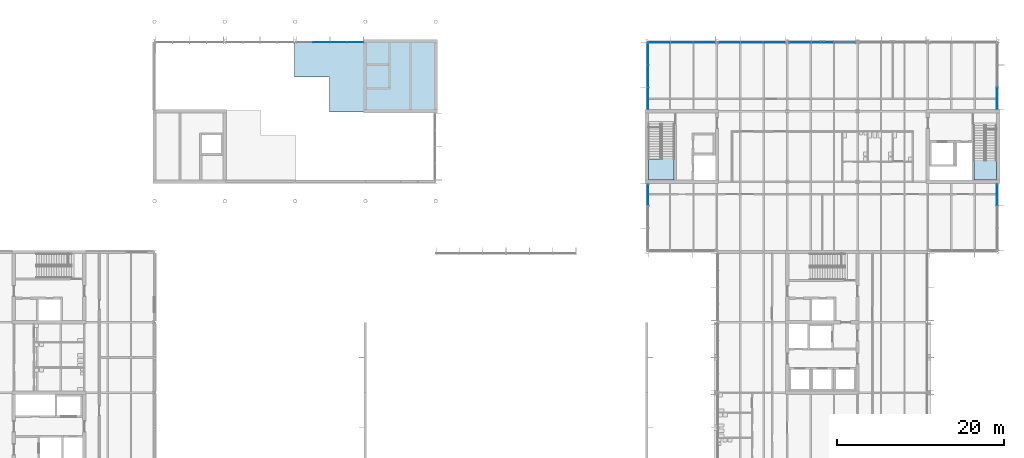
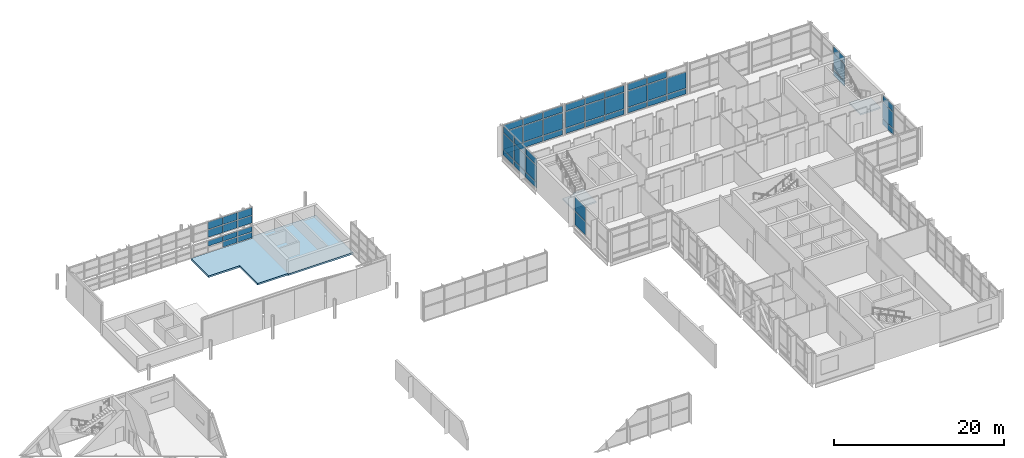
# One storey, part 36 of 72: 54 plates, 3 slabs, 11 elements without a shape of their own.
"""IFC4 building model written with IfcOpenShell, lengths in metres."""

from ifc_helpers import new_model, si_unit, direction, frame, origin, origin_2d, place, context, subcontext, project, spatial, polyline, rectangle, outline, extrude, material, layer, layer_set, type_object, element, aggregate, save


model = new_model("IFC4")

# Units and contexts
model_context = context("Model", 3, precision=1e-05, world=origin(), true_north=direction((0.0, 1.0)))
body_context = subcontext(model_context, "Body", "Model", "MODEL_VIEW")
ifc_project = project(units=[si_unit("LENGTHUNIT", "METRE"), si_unit("AREAUNIT", "SQUARE_METRE"), si_unit("VOLUMEUNIT", "CUBIC_METRE"), si_unit("PLANEANGLEUNIT", "RADIAN"), si_unit("MASSUNIT", "GRAM", prefix="KILO")], contexts=[model_context])

# Site, building, storey
site_placement = place(None, origin())
site = spatial("IfcSite", under=ifc_project, at=site_placement, CompositionType="ELEMENT")
building_placement = place(site_placement, origin())
building = spatial("IfcBuilding", under=site, at=building_placement, Name="Hlaing Beacon Police Headquarters", CompositionType="ELEMENT")
storey_placement = place(building_placement, frame((0.0, 0.0, 14.39990234375)))
storey = spatial("IfcBuildingStorey", under=building, at=storey_placement, Name="L03", CompositionType="ELEMENT", Elevation=14.39990234375)

# Curtain wall, plates
ifc_material_1 = material(Name="Aluminium frame with solar control glazing", Category="aluminium")
curtain_wall_type_1 = type_object("IfcCurtainWallType", Name="Unitised curtain wall 8.07 x 1.80 (300 frame)", PredefinedType="NOTDEFINED", material=ifc_material_1)
curtain_wall_1_placement = place(storey_placement, origin())
curtain_wall_1 = element("IfcCurtainWall", 1, at=curtain_wall_1_placement, inside=storey, type_object=curtain_wall_type_1, Name="ENV-CW-L03-N005", PredefinedType="NOTDEFINED")
ifc_material_2 = material(Name="Solar control glazing", Category="glass")
ifc_layer_1 = layer(ifc_material_2, 0.02392578125)
ifc_layer_set_1 = layer_set([ifc_layer_1], Name="Solar control glazing")
plate_type_1 = type_object("IfcPlateType", Name="Clear glazing panel 24", PredefinedType="CURTAIN_PANEL", material=ifc_layer_set_1)
plate_1_placement = place(storey_placement, frame((57.575927734375, 92.25, 0.10009765625), z_axis=(0.0, 0.0, 1.0), x_axis=(-1.0, 0.0, 0.0)))
plate_1 = element("IfcPlate", 2, at=plate_1_placement, type_object=plate_type_1, Name="CW-L03-N005 panel 1.1", PredefinedType="CURTAIN_PANEL", context=body_context, shape_type="SweptSolid", body=[
    extrude(rectangle(XDim=1.927978515625, YDim=0.02392578125, at=origin_2d()), origin(), (0.0, 0.0, 1.0), 0.75),
])
plate_2_placement = place(storey_placement, frame((57.575927734375, 92.25, 0.9501953125), z_axis=(0.0, 0.0, 1.0), x_axis=(-1.0, 0.0, 0.0)))
plate_2 = element("IfcPlate", 3, at=plate_2_placement, type_object=plate_type_1, Name="CW-L03-N005 panel 1.2", PredefinedType="CURTAIN_PANEL", context=body_context, shape_type="SweptSolid", body=[
    extrude(rectangle(XDim=1.927978515625, YDim=0.02392578125, at=origin_2d()), origin(), (0.0, 0.0, 1.0), 0.75),
])
plate_3_placement = place(storey_placement, frame((55.572998046875, 92.25, 0.10009765625), z_axis=(0.0, 0.0, 1.0), x_axis=(-1.0, 0.0, 0.0)))
plate_3 = element("IfcPlate", 4, at=plate_3_placement, type_object=plate_type_1, Name="CW-L03-N005 panel 2.1", PredefinedType="CURTAIN_PANEL", context=body_context, shape_type="SweptSolid", body=[
    extrude(rectangle(XDim=1.9580078125, YDim=0.02392578125, at=origin_2d()), origin(), (0.0, 0.0, 1.0), 0.75),
])
plate_4_placement = place(storey_placement, frame((55.572998046875, 92.25, 0.9501953125), z_axis=(0.0, 0.0, 1.0), x_axis=(-1.0, 0.0, 0.0)))
plate_4 = element("IfcPlate", 5, at=plate_4_placement, type_object=plate_type_1, Name="CW-L03-N005 panel 2.2", PredefinedType="CURTAIN_PANEL", context=body_context, shape_type="SweptSolid", body=[
    extrude(rectangle(XDim=1.9580078125, YDim=0.02392578125, at=origin_2d()), origin(), (0.0, 0.0, 1.0), 0.75),
])
plate_5_placement = place(storey_placement, frame((53.55517578125, 92.25, 0.9501953125), z_axis=(0.0, 0.0, 1.0), x_axis=(-1.0, 0.0, 0.0)))
plate_5 = element("IfcPlate", 6, at=plate_5_placement, type_object=plate_type_1, Name="CW-L03-N005 panel 3.2", PredefinedType="CURTAIN_PANEL", context=body_context, shape_type="SweptSolid", body=[
    extrude(rectangle(XDim=1.9580078125, YDim=0.02392578125, at=origin_2d()), origin(), (0.0, 0.0, 1.0), 0.75),
])
aggregate(curtain_wall_1, [plate_1, plate_2, plate_3, plate_4, plate_5])

ifc_material_3 = material(Name="Aluminium frame with solar control glazing", Category="aluminium")
curtain_wall_type_2 = type_object("IfcCurtainWallType", Name="Unitised curtain wall 8.07 x 2.40 (300 frame)", PredefinedType="NOTDEFINED", material=ifc_material_3)
curtain_wall_2_placement = place(storey_placement, origin())
curtain_wall_2 = element("IfcCurtainWall", 7, at=curtain_wall_2_placement, inside=storey, type_object=curtain_wall_type_2, Name="ENV-CW-L03-N006", PredefinedType="NOTDEFINED")
ifc_material_4 = material(Name="Solar control glazing", Category="glass")
ifc_layer_2 = layer(ifc_material_4, 0.031982421875)
ifc_layer_set_2 = layer_set([ifc_layer_2], Name="Solar control glazing")
plate_type_2 = type_object("IfcPlateType", Name="Clear glazing panel 32", PredefinedType="CURTAIN_PANEL", material=ifc_layer_set_2)
plate_6_placement = place(storey_placement, frame((57.575927734375, 92.25, 2.205078125), z_axis=(0.0, 0.0, 1.0), x_axis=(-1.0, 0.0, 0.0)))
plate_6 = element("IfcPlate", 8, at=plate_6_placement, type_object=plate_type_2, Name="CW-L03-N006 panel 1.1", PredefinedType="CURTAIN_PANEL", context=body_context, shape_type="SweptSolid", body=[
    extrude(rectangle(XDim=1.927978515625, YDim=0.031982421875, at=origin_2d()), origin(), (0.0, 0.0, 1.0), 1.048095703125),
])
plate_7_placement = place(storey_placement, frame((57.575927734375, 92.25, 3.35302734375), z_axis=(0.0, 0.0, 1.0), x_axis=(-1.0, 0.0, 0.0)))
plate_7 = element("IfcPlate", 9, at=plate_7_placement, type_object=plate_type_2, Name="CW-L03-N006 panel 1.2", PredefinedType="CURTAIN_PANEL", context=body_context, shape_type="SweptSolid", body=[
    extrude(rectangle(XDim=1.927978515625, YDim=0.031982421875, at=origin_2d()), origin(), (0.0, 0.0, 1.0), 1.047119140625),
])
plate_8_placement = place(storey_placement, frame((55.572998046875, 92.25, 2.205078125), z_axis=(0.0, 0.0, 1.0), x_axis=(-1.0, 0.0, 0.0)))
plate_8 = element("IfcPlate", 10, at=plate_8_placement, type_object=plate_type_2, Name="CW-L03-N006 panel 2.1", PredefinedType="CURTAIN_PANEL", context=body_context, shape_type="SweptSolid", body=[
    extrude(rectangle(XDim=1.9580078125, YDim=0.031982421875, at=origin_2d()), origin(), (0.0, 0.0, 1.0), 1.048095703125),
])
plate_9_placement = place(storey_placement, frame((55.572998046875, 92.25, 3.35302734375), z_axis=(0.0, 0.0, 1.0), x_axis=(-1.0, 0.0, 0.0)))
plate_9 = element("IfcPlate", 11, at=plate_9_placement, type_object=plate_type_2, Name="CW-L03-N006 panel 2.2", PredefinedType="CURTAIN_PANEL", context=body_context, shape_type="SweptSolid", body=[
    extrude(rectangle(XDim=1.9580078125, YDim=0.031982421875, at=origin_2d()), origin(), (0.0, 0.0, 1.0), 1.047119140625),
])
plate_10_placement = place(storey_placement, frame((53.55517578125, 92.25, 2.205078125), z_axis=(0.0, 0.0, 1.0), x_axis=(-1.0, 0.0, 0.0)))
plate_10 = element("IfcPlate", 12, at=plate_10_placement, type_object=plate_type_2, Name="CW-L03-N006 panel 3.1", PredefinedType="CURTAIN_PANEL", context=body_context, shape_type="SweptSolid", body=[
    extrude(rectangle(XDim=1.9580078125, YDim=0.031982421875, at=origin_2d()), origin(), (0.0, 0.0, 1.0), 1.048095703125),
])
plate_11_placement = place(storey_placement, frame((53.55517578125, 92.25, 3.35302734375), z_axis=(0.0, 0.0, 1.0), x_axis=(-1.0, 0.0, 0.0)))
plate_11 = element("IfcPlate", 13, at=plate_11_placement, type_object=plate_type_2, Name="CW-L03-N006 panel 3.2", PredefinedType="CURTAIN_PANEL", context=body_context, shape_type="SweptSolid", body=[
    extrude(rectangle(XDim=1.9580078125, YDim=0.031982421875, at=origin_2d()), origin(), (0.0, 0.0, 1.0), 1.047119140625),
])
aggregate(curtain_wall_2, [plate_6, plate_7, plate_8, plate_9, plate_10, plate_11])

# Slab
ifc_material_5 = material(Name="Concrete C40/50", Category="concrete")
ifc_layer_3 = layer(ifc_material_5, 0.25)
ifc_layer_set_3 = layer_set([ifc_layer_3], Name="Concrete C40/50")
slab_type_1 = type_object("IfcSlabType", Name="Enclosure roof slab 250", PredefinedType="ROOF", material=ifc_layer_set_3)
slab_1_placement = place(storey_placement, frame((0.0, 0.0, -0.25)))
element("IfcSlab", 14, at=slab_1_placement, inside=storey, type_object=slab_type_1, Name="STR-SLAB-L03-V2-CAP02", PredefinedType="ROOF", context=body_context, shape_type="SweptSolid", body=[
    extrude(outline(polyline([(58.60009765625, 83.800048828125), (67.39990234375, 83.800048828125), (67.39990234375, 92.60009765625), (58.60009765625, 92.60009765625), (58.60009765625, 92.25), (50.5849609375, 92.25), (50.5849609375, 92.219970703125), (50.300048828125, 92.219970703125), (50.300048828125, 88.10009765625), (54.5, 88.10009765625), (54.5, 83.89990234375), (58.60009765625, 83.89990234375), (58.60009765625, 83.800048828125)])), origin(), (0.0, 0.0, 1.0), 0.25),
])

# Curtain wall, plates
ifc_material_6 = material(Name="Aluminium frame with solar control glazing", Category="aluminium")
curtain_wall_type_3 = type_object("IfcCurtainWallType", Name="Structural glazed gable wall 8.03 x 4.37", PredefinedType="NOTDEFINED", material=ifc_material_6)
curtain_wall_3_placement = place(storey_placement, origin())
curtain_wall_3 = element("IfcCurtainWall", 15, at=curtain_wall_3_placement, inside=storey, type_object=curtain_wall_type_3, Name="ENV-CW-L03-N030", PredefinedType="NOTDEFINED")
ifc_material_7 = material(Name="Insulated aluminium spandrel", Category="aluminium")
ifc_layer_4 = layer(ifc_material_7, 0.0400390625)
ifc_layer_set_4 = layer_set([ifc_layer_4], Name="Insulated aluminium spandrel")
plate_type_3 = type_object("IfcPlateType", Name="Insulated spandrel panel 40", PredefinedType="CURTAIN_PANEL", material=ifc_layer_set_4)
plate_12_placement = place(storey_placement, frame((116.056396484375, 92.25, 0.10009765625), z_axis=(0.0, 0.0, 1.0), x_axis=(-1.0, 0.0, 0.0)))
plate_12 = element("IfcPlate", 16, at=plate_12_placement, type_object=plate_type_3, Name="CW-L03-N030 panel 1.1", PredefinedType="CURTAIN_PANEL", context=body_context, shape_type="SweptSolid", body=[
    extrude(rectangle(XDim=2.556396484375, YDim=0.0400390625, at=origin_2d()), origin(), (0.0, 0.0, 1.0), 0.75),
])
plate_13_placement = place(storey_placement, frame((113.39990234375, 92.25, 0.10009765625), z_axis=(0.0, 0.0, 1.0), x_axis=(-1.0, 0.0, 0.0)))
plate_13 = element("IfcPlate", 17, at=plate_13_placement, type_object=plate_type_3, Name="CW-L03-N030 panel 2.1", PredefinedType="CURTAIN_PANEL", context=body_context, shape_type="SweptSolid", body=[
    extrude(rectangle(XDim=2.596435546875, YDim=0.0400390625, at=origin_2d()), origin(), (0.0, 0.0, 1.0), 0.75),
])
plate_14_placement = place(storey_placement, frame((110.74365234375, 92.25, 0.10009765625), z_axis=(0.0, 0.0, 1.0), x_axis=(-1.0, 0.0, 0.0)))
plate_14 = element("IfcPlate", 18, at=plate_14_placement, type_object=plate_type_3, Name="CW-L03-N030 panel 3.1", PredefinedType="CURTAIN_PANEL", context=body_context, shape_type="SweptSolid", body=[
    extrude(rectangle(XDim=2.556396484375, YDim=0.0400390625, at=origin_2d()), origin(), (0.0, 0.0, 1.0), 0.75),
])

ifc_material_8 = material(Name="Aluminium frame with solar control glazing", Category="aluminium")
curtain_wall_type_4 = type_object("IfcCurtainWallType", Name="Structural glazed gable wall 8.09 x 4.37", PredefinedType="NOTDEFINED", material=ifc_material_8)
curtain_wall_4_placement = place(storey_placement, origin())
curtain_wall_4 = element("IfcCurtainWall", 19, at=curtain_wall_4_placement, inside=storey, type_object=curtain_wall_type_4, Name="ENV-CW-L03-N031", PredefinedType="NOTDEFINED")
plate_15_placement = place(storey_placement, frame((107.64697265625, 92.25, 0.10009765625), z_axis=(0.0, 0.0, 1.0), x_axis=(-1.0, 0.0, 0.0)))
plate_15 = element("IfcPlate", 20, at=plate_15_placement, type_object=plate_type_3, Name="CW-L03-N031 panel 1.1", PredefinedType="CURTAIN_PANEL", context=body_context, shape_type="SweptSolid", body=[
    extrude(rectangle(XDim=2.575439453125, YDim=0.0400390625, at=origin_2d()), origin(), (0.0, 0.0, 1.0), 0.75),
])
plate_16_placement = place(storey_placement, frame((104.971435546875, 92.25, 0.10009765625), z_axis=(0.0, 0.0, 1.0), x_axis=(-1.0, 0.0, 0.0)))
plate_16 = element("IfcPlate", 21, at=plate_16_placement, type_object=plate_type_3, Name="CW-L03-N031 panel 2.1", PredefinedType="CURTAIN_PANEL", context=body_context, shape_type="SweptSolid", body=[
    extrude(rectangle(XDim=2.615478515625, YDim=0.0400390625, at=origin_2d()), origin(), (0.0, 0.0, 1.0), 0.75),
])
plate_17_placement = place(storey_placement, frame((102.2958984375, 92.25, 0.10009765625), z_axis=(0.0, 0.0, 1.0), x_axis=(-1.0, 0.0, 0.0)))
plate_17 = element("IfcPlate", 22, at=plate_17_placement, type_object=plate_type_3, Name="CW-L03-N031 panel 3.1", PredefinedType="CURTAIN_PANEL", context=body_context, shape_type="SweptSolid", body=[
    extrude(rectangle(XDim=2.575439453125, YDim=0.0400390625, at=origin_2d()), origin(), (0.0, 0.0, 1.0), 0.75),
])

ifc_material_9 = material(Name="Aluminium frame with solar control glazing", Category="aluminium")
curtain_wall_type_5 = type_object("IfcCurtainWallType", Name="Structural glazed gable wall 8.14 x 4.37", PredefinedType="NOTDEFINED", material=ifc_material_9)
curtain_wall_5_placement = place(storey_placement, origin())
curtain_wall_5 = element("IfcCurtainWall", 23, at=curtain_wall_5_placement, inside=storey, type_object=curtain_wall_type_5, Name="ENV-CW-L03-N032", PredefinedType="NOTDEFINED")
plate_18_placement = place(storey_placement, frame((99.294189453125, 92.25, 0.10009765625), z_axis=(0.0, 0.0, 1.0), x_axis=(-1.0, 0.0, 0.0)))
plate_18 = element("IfcPlate", 24, at=plate_18_placement, type_object=plate_type_3, Name="CW-L03-N032 panel 1.1", PredefinedType="CURTAIN_PANEL", context=body_context, shape_type="SweptSolid", body=[
    extrude(rectangle(XDim=2.594970703125, YDim=0.0400390625, at=origin_2d()), origin(), (0.0, 0.0, 1.0), 0.75),
])
plate_19_placement = place(storey_placement, frame((96.599365234375, 92.25, 0.10009765625), z_axis=(0.0, 0.0, 1.0), x_axis=(-1.0, 0.0, 0.0)))
plate_19 = element("IfcPlate", 25, at=plate_19_placement, type_object=plate_type_3, Name="CW-L03-N032 panel 2.1", PredefinedType="CURTAIN_PANEL", context=body_context, shape_type="SweptSolid", body=[
    extrude(rectangle(XDim=2.635009765625, YDim=0.0400390625, at=origin_2d()), origin(), (0.0, 0.0, 1.0), 0.75),
])
plate_20_placement = place(storey_placement, frame((93.904541015625, 92.25, 0.10009765625), z_axis=(0.0, 0.0, 1.0), x_axis=(-1.0, 0.0, 0.0)))
plate_20 = element("IfcPlate", 26, at=plate_20_placement, type_object=plate_type_3, Name="CW-L03-N032 panel 3.1", PredefinedType="CURTAIN_PANEL", context=body_context, shape_type="SweptSolid", body=[
    extrude(rectangle(XDim=2.594970703125, YDim=0.0400390625, at=origin_2d()), origin(), (0.0, 0.0, 1.0), 0.75),
])

# Curtain wall, plate
ifc_material_10 = material(Name="Aluminium frame with solar control glazing", Category="aluminium")
curtain_wall_type_6 = type_object("IfcCurtainWallType", Name="Structural glazed gable wall 8.02 x 4.37", PredefinedType="NOTDEFINED", material=ifc_material_10)
curtain_wall_6_placement = place(storey_placement, origin())
curtain_wall_6 = element("IfcCurtainWall", 27, at=curtain_wall_6_placement, inside=storey, type_object=curtain_wall_type_6, Name="ENV-CW-L03-E026", PredefinedType="NOTDEFINED")
ifc_material_11 = material(Name="Insulated aluminium spandrel", Category="aluminium")
ifc_layer_5 = layer(ifc_material_11, 0.06005859375)
ifc_layer_set_5 = layer_set([ifc_layer_5], Name="Insulated aluminium spandrel")
plate_type_4 = type_object("IfcPlateType", Name="Insulated spandrel panel 60", PredefinedType="CURTAIN_PANEL", material=ifc_layer_set_5)
plate_21_placement = place(storey_placement, frame((134.25, 74.042724609375, 0.10009765625), z_axis=(0.0, 0.0, 1.0), x_axis=(0.0, 1.0, 0.0)))
plate_21 = element("IfcPlate", 28, at=plate_21_placement, type_object=plate_type_4, Name="CW-L03-E026 panel 3.1", PredefinedType="CURTAIN_PANEL", context=body_context, shape_type="SweptSolid", body=[
    extrude(rectangle(XDim=2.554443359375, YDim=0.06005859375, at=origin_2d()), origin(), (0.0, 0.0, 1.0), 0.75),
])

curtain_wall_7_placement = place(storey_placement, origin())
curtain_wall_7 = element("IfcCurtainWall", 29, at=curtain_wall_7_placement, inside=storey, type_object=curtain_wall_type_6, Name="ENV-CW-L03-E027", PredefinedType="NOTDEFINED")
plate_22_placement = place(storey_placement, frame((134.25, 85.55712890625, 0.10009765625), z_axis=(0.0, 0.0, 1.0), x_axis=(0.0, 1.0, 0.0)))
plate_22 = element("IfcPlate", 30, at=plate_22_placement, type_object=plate_type_4, Name="CW-L03-E027 panel 1.1", PredefinedType="CURTAIN_PANEL", context=body_context, shape_type="SweptSolid", body=[
    extrude(rectangle(XDim=2.554443359375, YDim=0.06005859375, at=origin_2d()), origin(), (0.0, 0.0, 1.0), 0.75),
])

# Curtain wall, plates
curtain_wall_8_placement = place(storey_placement, origin())
curtain_wall_8 = element("IfcCurtainWall", 31, at=curtain_wall_8_placement, inside=storey, type_object=curtain_wall_type_6, Name="ENV-CW-L03-W033", PredefinedType="NOTDEFINED")
ifc_material_12 = material(Name="Insulated aluminium spandrel", Category="aluminium")
ifc_layer_6 = layer(ifc_material_12, 0.080078125)
ifc_layer_set_6 = layer_set([ifc_layer_6], Name="Insulated aluminium spandrel")
plate_type_5 = type_object("IfcPlateType", Name="Insulated spandrel panel 80", PredefinedType="CURTAIN_PANEL", material=ifc_layer_set_6)
plate_23_placement = place(storey_placement, frame((92.550048828125, 90.8662109375, 0.10009765625), z_axis=(0.0, 0.0, 1.0), x_axis=(0.0, -1.0, 0.0)))
plate_23 = element("IfcPlate", 32, at=plate_23_placement, type_object=plate_type_5, Name="CW-L03-W033 panel 1.1", PredefinedType="CURTAIN_PANEL", context=body_context, shape_type="SweptSolid", body=[
    extrude(rectangle(XDim=2.554443359375, YDim=0.080078125, at=origin_2d()), origin(), (0.0, 0.0, 1.0), 0.75),
])
plate_24_placement = place(storey_placement, frame((92.550048828125, 88.211669921875, 0.10009765625), z_axis=(0.0, 0.0, 1.0), x_axis=(0.0, -1.0, 0.0)))
plate_24 = element("IfcPlate", 33, at=plate_24_placement, type_object=plate_type_5, Name="CW-L03-W033 panel 2.1", PredefinedType="CURTAIN_PANEL", context=body_context, shape_type="SweptSolid", body=[
    extrude(rectangle(XDim=2.594482421875, YDim=0.080078125, at=origin_2d()), origin(), (0.0, 0.0, 1.0), 0.75),
])
plate_25_placement = place(storey_placement, frame((92.550048828125, 85.55712890625, 0.10009765625), z_axis=(0.0, 0.0, 1.0), x_axis=(0.0, -1.0, 0.0)))
plate_25 = element("IfcPlate", 34, at=plate_25_placement, type_object=plate_type_5, Name="CW-L03-W033 panel 3.1", PredefinedType="CURTAIN_PANEL", context=body_context, shape_type="SweptSolid", body=[
    extrude(rectangle(XDim=2.554443359375, YDim=0.080078125, at=origin_2d()), origin(), (0.0, 0.0, 1.0), 0.75),
])

# Plate
ifc_material_13 = material(Name="Laminated solar control glazing", Category="glass")
ifc_layer_7 = layer(ifc_material_13, 0.031982421875)
ifc_layer_set_7 = layer_set([ifc_layer_7], Name="Laminated solar control glazing")
plate_type_6 = type_object("IfcPlateType", Name="Laminated glazing panel 32", PredefinedType="CURTAIN_PANEL", material=ifc_layer_set_7)
plate_26_placement = place(storey_placement, frame((134.25, 74.042724609375, 3.35009765625), z_axis=(0.0, 0.0, 1.0), x_axis=(0.0, 1.0, 0.0)))
plate_26 = element("IfcPlate", 35, at=plate_26_placement, type_object=plate_type_6, Name="CW-L03-E026 panel 3.3", PredefinedType="CURTAIN_PANEL", context=body_context, shape_type="SweptSolid", body=[
    extrude(rectangle(XDim=2.554443359375, YDim=0.031982421875, at=origin_2d()), origin(), (0.0, 0.0, 1.0), 0.919921875),
])

plate_27_placement = place(storey_placement, frame((134.25, 85.55712890625, 3.35009765625), z_axis=(0.0, 0.0, 1.0), x_axis=(0.0, 1.0, 0.0)))
plate_27 = element("IfcPlate", 36, at=plate_27_placement, type_object=plate_type_6, Name="CW-L03-E027 panel 1.3", PredefinedType="CURTAIN_PANEL", context=body_context, shape_type="SweptSolid", body=[
    extrude(rectangle(XDim=2.554443359375, YDim=0.031982421875, at=origin_2d()), origin(), (0.0, 0.0, 1.0), 0.919921875),
])

plate_28_placement = place(storey_placement, frame((113.39990234375, 92.25, 3.35009765625), z_axis=(0.0, 0.0, 1.0), x_axis=(-1.0, 0.0, 0.0)))
plate_28 = element("IfcPlate", 37, at=plate_28_placement, type_object=plate_type_6, Name="CW-L03-N030 panel 2.3", PredefinedType="CURTAIN_PANEL", context=body_context, shape_type="SweptSolid", body=[
    extrude(rectangle(XDim=2.596435546875, YDim=0.031982421875, at=origin_2d()), origin(), (0.0, 0.0, 1.0), 0.919921875),
])

plate_29_placement = place(storey_placement, frame((110.74365234375, 92.25, 3.35009765625), z_axis=(0.0, 0.0, 1.0), x_axis=(-1.0, 0.0, 0.0)))
plate_29 = element("IfcPlate", 38, at=plate_29_placement, type_object=plate_type_6, Name="CW-L03-N030 panel 3.3", PredefinedType="CURTAIN_PANEL", context=body_context, shape_type="SweptSolid", body=[
    extrude(rectangle(XDim=2.556396484375, YDim=0.031982421875, at=origin_2d()), origin(), (0.0, 0.0, 1.0), 0.919921875),
])

plate_30_placement = place(storey_placement, frame((107.64697265625, 92.25, 3.35009765625), z_axis=(0.0, 0.0, 1.0), x_axis=(-1.0, 0.0, 0.0)))
plate_30 = element("IfcPlate", 39, at=plate_30_placement, type_object=plate_type_6, Name="CW-L03-N031 panel 1.3", PredefinedType="CURTAIN_PANEL", context=body_context, shape_type="SweptSolid", body=[
    extrude(rectangle(XDim=2.575439453125, YDim=0.031982421875, at=origin_2d()), origin(), (0.0, 0.0, 1.0), 0.919921875),
])

plate_31_placement = place(storey_placement, frame((104.971435546875, 92.25, 3.35009765625), z_axis=(0.0, 0.0, 1.0), x_axis=(-1.0, 0.0, 0.0)))
plate_31 = element("IfcPlate", 40, at=plate_31_placement, type_object=plate_type_6, Name="CW-L03-N031 panel 2.3", PredefinedType="CURTAIN_PANEL", context=body_context, shape_type="SweptSolid", body=[
    extrude(rectangle(XDim=2.615478515625, YDim=0.031982421875, at=origin_2d()), origin(), (0.0, 0.0, 1.0), 0.919921875),
])

plate_32_placement = place(storey_placement, frame((102.2958984375, 92.25, 3.35009765625), z_axis=(0.0, 0.0, 1.0), x_axis=(-1.0, 0.0, 0.0)))
plate_32 = element("IfcPlate", 41, at=plate_32_placement, type_object=plate_type_6, Name="CW-L03-N031 panel 3.3", PredefinedType="CURTAIN_PANEL", context=body_context, shape_type="SweptSolid", body=[
    extrude(rectangle(XDim=2.575439453125, YDim=0.031982421875, at=origin_2d()), origin(), (0.0, 0.0, 1.0), 0.919921875),
])

plate_33_placement = place(storey_placement, frame((99.294189453125, 92.25, 3.35009765625), z_axis=(0.0, 0.0, 1.0), x_axis=(-1.0, 0.0, 0.0)))
plate_33 = element("IfcPlate", 42, at=plate_33_placement, type_object=plate_type_6, Name="CW-L03-N032 panel 1.3", PredefinedType="CURTAIN_PANEL", context=body_context, shape_type="SweptSolid", body=[
    extrude(rectangle(XDim=2.594970703125, YDim=0.031982421875, at=origin_2d()), origin(), (0.0, 0.0, 1.0), 0.919921875),
])

plate_34_placement = place(storey_placement, frame((96.599365234375, 92.25, 3.35009765625), z_axis=(0.0, 0.0, 1.0), x_axis=(-1.0, 0.0, 0.0)))
plate_34 = element("IfcPlate", 43, at=plate_34_placement, type_object=plate_type_6, Name="CW-L03-N032 panel 2.3", PredefinedType="CURTAIN_PANEL", context=body_context, shape_type="SweptSolid", body=[
    extrude(rectangle(XDim=2.635009765625, YDim=0.031982421875, at=origin_2d()), origin(), (0.0, 0.0, 1.0), 0.919921875),
])

plate_35_placement = place(storey_placement, frame((93.904541015625, 92.25, 3.35009765625), z_axis=(0.0, 0.0, 1.0), x_axis=(-1.0, 0.0, 0.0)))
plate_35 = element("IfcPlate", 44, at=plate_35_placement, type_object=plate_type_6, Name="CW-L03-N032 panel 3.3", PredefinedType="CURTAIN_PANEL", context=body_context, shape_type="SweptSolid", body=[
    extrude(rectangle(XDim=2.594970703125, YDim=0.031982421875, at=origin_2d()), origin(), (0.0, 0.0, 1.0), 0.919921875),
])

plate_36_placement = place(storey_placement, frame((92.550048828125, 90.8662109375, 3.35009765625), z_axis=(0.0, 0.0, 1.0), x_axis=(0.0, -1.0, 0.0)))
plate_36 = element("IfcPlate", 45, at=plate_36_placement, type_object=plate_type_6, Name="CW-L03-W033 panel 1.3", PredefinedType="CURTAIN_PANEL", context=body_context, shape_type="SweptSolid", body=[
    extrude(rectangle(XDim=2.554443359375, YDim=0.031982421875, at=origin_2d()), origin(), (0.0, 0.0, 1.0), 0.919921875),
])

plate_37_placement = place(storey_placement, frame((92.550048828125, 88.211669921875, 3.35009765625), z_axis=(0.0, 0.0, 1.0), x_axis=(0.0, -1.0, 0.0)))
plate_37 = element("IfcPlate", 46, at=plate_37_placement, type_object=plate_type_6, Name="CW-L03-W033 panel 2.3", PredefinedType="CURTAIN_PANEL", context=body_context, shape_type="SweptSolid", body=[
    extrude(rectangle(XDim=2.594482421875, YDim=0.031982421875, at=origin_2d()), origin(), (0.0, 0.0, 1.0), 0.919921875),
])

plate_38_placement = place(storey_placement, frame((92.550048828125, 85.55712890625, 3.35009765625), z_axis=(0.0, 0.0, 1.0), x_axis=(0.0, -1.0, 0.0)))
plate_38 = element("IfcPlate", 47, at=plate_38_placement, type_object=plate_type_6, Name="CW-L03-W033 panel 3.3", PredefinedType="CURTAIN_PANEL", context=body_context, shape_type="SweptSolid", body=[
    extrude(rectangle(XDim=2.554443359375, YDim=0.031982421875, at=origin_2d()), origin(), (0.0, 0.0, 1.0), 0.919921875),
])

ifc_material_14 = material(Name="Laminated solar control glazing", Category="glass")
ifc_layer_8 = layer(ifc_material_14, 0.0439453125)
ifc_layer_set_8 = layer_set([ifc_layer_8], Name="Laminated solar control glazing")
plate_type_7 = type_object("IfcPlateType", Name="Laminated glazing panel 44", PredefinedType="CURTAIN_PANEL", material=ifc_layer_set_8)
plate_39_placement = place(storey_placement, frame((134.25, 74.042724609375, 0.9501953125), z_axis=(0.0, 0.0, 1.0), x_axis=(0.0, 1.0, 0.0)))
plate_39 = element("IfcPlate", 48, at=plate_39_placement, type_object=plate_type_7, Name="CW-L03-E026 panel 3.2", PredefinedType="CURTAIN_PANEL", context=body_context, shape_type="SweptSolid", body=[
    extrude(rectangle(XDim=2.554443359375, YDim=0.0439453125, at=origin_2d()), origin(), (0.0, 0.0, 1.0), 2.300048828125),
])

aggregate(curtain_wall_6, [plate_21, plate_39, plate_26])

plate_40_placement = place(storey_placement, frame((134.25, 85.55712890625, 0.9501953125), z_axis=(0.0, 0.0, 1.0), x_axis=(0.0, 1.0, 0.0)))
plate_40 = element("IfcPlate", 49, at=plate_40_placement, type_object=plate_type_7, Name="CW-L03-E027 panel 1.2", PredefinedType="CURTAIN_PANEL", context=body_context, shape_type="SweptSolid", body=[
    extrude(rectangle(XDim=2.554443359375, YDim=0.0439453125, at=origin_2d()), origin(), (0.0, 0.0, 1.0), 2.300048828125),
])

aggregate(curtain_wall_7, [plate_22, plate_40, plate_27])

plate_41_placement = place(storey_placement, frame((116.056396484375, 92.25, 0.9501953125), z_axis=(0.0, 0.0, 1.0), x_axis=(-1.0, 0.0, 0.0)))
plate_41 = element("IfcPlate", 50, at=plate_41_placement, type_object=plate_type_7, Name="CW-L03-N030 panel 1.2", PredefinedType="CURTAIN_PANEL", context=body_context, shape_type="SweptSolid", body=[
    extrude(rectangle(XDim=2.556396484375, YDim=0.0439453125, at=origin_2d()), origin(), (0.0, 0.0, 1.0), 2.300048828125),
])

plate_42_placement = place(storey_placement, frame((113.39990234375, 92.25, 0.9501953125), z_axis=(0.0, 0.0, 1.0), x_axis=(-1.0, 0.0, 0.0)))
plate_42 = element("IfcPlate", 51, at=plate_42_placement, type_object=plate_type_7, Name="CW-L03-N030 panel 2.2", PredefinedType="CURTAIN_PANEL", context=body_context, shape_type="SweptSolid", body=[
    extrude(rectangle(XDim=2.596435546875, YDim=0.0439453125, at=origin_2d()), origin(), (0.0, 0.0, 1.0), 2.300048828125),
])

plate_43_placement = place(storey_placement, frame((110.74365234375, 92.25, 0.9501953125), z_axis=(0.0, 0.0, 1.0), x_axis=(-1.0, 0.0, 0.0)))
plate_43 = element("IfcPlate", 52, at=plate_43_placement, type_object=plate_type_7, Name="CW-L03-N030 panel 3.2", PredefinedType="CURTAIN_PANEL", context=body_context, shape_type="SweptSolid", body=[
    extrude(rectangle(XDim=2.556396484375, YDim=0.0439453125, at=origin_2d()), origin(), (0.0, 0.0, 1.0), 2.300048828125),
])

aggregate(curtain_wall_3, [plate_12, plate_41, plate_13, plate_42, plate_28, plate_14, plate_43, plate_29])

plate_44_placement = place(storey_placement, frame((92.550048828125, 90.8662109375, 0.9501953125), z_axis=(0.0, 0.0, 1.0), x_axis=(0.0, -1.0, 0.0)))
plate_44 = element("IfcPlate", 53, at=plate_44_placement, type_object=plate_type_7, Name="CW-L03-W033 panel 1.2", PredefinedType="CURTAIN_PANEL", context=body_context, shape_type="SweptSolid", body=[
    extrude(rectangle(XDim=2.554443359375, YDim=0.0439453125, at=origin_2d()), origin(), (0.0, 0.0, 1.0), 2.300048828125),
])

plate_45_placement = place(storey_placement, frame((92.550048828125, 88.211669921875, 0.9501953125), z_axis=(0.0, 0.0, 1.0), x_axis=(0.0, -1.0, 0.0)))
plate_45 = element("IfcPlate", 54, at=plate_45_placement, type_object=plate_type_7, Name="CW-L03-W033 panel 2.2", PredefinedType="CURTAIN_PANEL", context=body_context, shape_type="SweptSolid", body=[
    extrude(rectangle(XDim=2.594482421875, YDim=0.0439453125, at=origin_2d()), origin(), (0.0, 0.0, 1.0), 2.300048828125),
])

plate_46_placement = place(storey_placement, frame((92.550048828125, 85.55712890625, 0.9501953125), z_axis=(0.0, 0.0, 1.0), x_axis=(0.0, -1.0, 0.0)))
plate_46 = element("IfcPlate", 55, at=plate_46_placement, type_object=plate_type_7, Name="CW-L03-W033 panel 3.2", PredefinedType="CURTAIN_PANEL", context=body_context, shape_type="SweptSolid", body=[
    extrude(rectangle(XDim=2.554443359375, YDim=0.0439453125, at=origin_2d()), origin(), (0.0, 0.0, 1.0), 2.300048828125),
])

aggregate(curtain_wall_8, [plate_23, plate_44, plate_36, plate_24, plate_45, plate_37, plate_25, plate_46, plate_38])

# Curtain wall, plates
ifc_material_15 = material(Name="Aluminium frame with solar control glazing", Category="aluminium")
curtain_wall_type_7 = type_object("IfcCurtainWallType", Name="Structural glazed gable wall 8.02 x 4.16", PredefinedType="NOTDEFINED", material=ifc_material_15)
curtain_wall_9_placement = place(storey_placement, origin())
curtain_wall_9 = element("IfcCurtainWall", 56, at=curtain_wall_9_placement, inside=storey, type_object=curtain_wall_type_7, Name="ENV-CW-L03-W034", PredefinedType="NOTDEFINED")
plate_47_placement = place(storey_placement, frame((92.550048828125, 74.042724609375, 0.30810546875), z_axis=(0.0, 0.0, 1.0), x_axis=(0.0, -1.0, 0.0)))
plate_47 = element("IfcPlate", 57, at=plate_47_placement, type_object=plate_type_7, Name="CW-L03-W034 panel 1.1", PredefinedType="CURTAIN_PANEL", context=body_context, shape_type="SweptSolid", body=[
    extrude(rectangle(XDim=2.554443359375, YDim=0.0439453125, at=origin_2d()), origin(), (0.0, 0.0, 1.0), 1.930908203125),
])
plate_48_placement = place(storey_placement, frame((92.550048828125, 74.042724609375, 2.3388671875), z_axis=(0.0, 0.0, 1.0), x_axis=(0.0, -1.0, 0.0)))
plate_48 = element("IfcPlate", 58, at=plate_48_placement, type_object=plate_type_7, Name="CW-L03-W034 panel 1.2", PredefinedType="CURTAIN_PANEL", context=body_context, shape_type="SweptSolid", body=[
    extrude(rectangle(XDim=2.554443359375, YDim=0.0439453125, at=origin_2d()), origin(), (0.0, 0.0, 1.0), 1.93115234375),
])
aggregate(curtain_wall_9, [plate_47, plate_48])

# Plate
ifc_material_16 = material(Name="Laminated solar control glazing", Category="glass")
ifc_layer_9 = layer(ifc_material_16, 0.06591796875)
ifc_layer_set_9 = layer_set([ifc_layer_9], Name="Laminated solar control glazing")
plate_type_8 = type_object("IfcPlateType", Name="Laminated glazing panel 66", PredefinedType="CURTAIN_PANEL", material=ifc_layer_set_9)
plate_49_placement = place(storey_placement, frame((107.64697265625, 92.25, 0.9501953125), z_axis=(0.0, 0.0, 1.0), x_axis=(-1.0, 0.0, 0.0)))
plate_49 = element("IfcPlate", 59, at=plate_49_placement, type_object=plate_type_8, Name="CW-L03-N031 panel 1.2", PredefinedType="CURTAIN_PANEL", context=body_context, shape_type="SweptSolid", body=[
    extrude(rectangle(XDim=2.575439453125, YDim=0.06591796875, at=origin_2d()), origin(), (0.0, 0.0, 1.0), 2.300048828125),
])

plate_50_placement = place(storey_placement, frame((104.971435546875, 92.25, 0.9501953125), z_axis=(0.0, 0.0, 1.0), x_axis=(-1.0, 0.0, 0.0)))
plate_50 = element("IfcPlate", 60, at=plate_50_placement, type_object=plate_type_8, Name="CW-L03-N031 panel 2.2", PredefinedType="CURTAIN_PANEL", context=body_context, shape_type="SweptSolid", body=[
    extrude(rectangle(XDim=2.615478515625, YDim=0.06591796875, at=origin_2d()), origin(), (0.0, 0.0, 1.0), 2.300048828125),
])

plate_51_placement = place(storey_placement, frame((102.2958984375, 92.25, 0.9501953125), z_axis=(0.0, 0.0, 1.0), x_axis=(-1.0, 0.0, 0.0)))
plate_51 = element("IfcPlate", 61, at=plate_51_placement, type_object=plate_type_8, Name="CW-L03-N031 panel 3.2", PredefinedType="CURTAIN_PANEL", context=body_context, shape_type="SweptSolid", body=[
    extrude(rectangle(XDim=2.575439453125, YDim=0.06591796875, at=origin_2d()), origin(), (0.0, 0.0, 1.0), 2.300048828125),
])

aggregate(curtain_wall_4, [plate_15, plate_49, plate_30, plate_16, plate_50, plate_31, plate_17, plate_51, plate_32])

plate_52_placement = place(storey_placement, frame((99.294189453125, 92.25, 0.9501953125), z_axis=(0.0, 0.0, 1.0), x_axis=(-1.0, 0.0, 0.0)))
plate_52 = element("IfcPlate", 62, at=plate_52_placement, type_object=plate_type_8, Name="CW-L03-N032 panel 1.2", PredefinedType="CURTAIN_PANEL", context=body_context, shape_type="SweptSolid", body=[
    extrude(rectangle(XDim=2.594970703125, YDim=0.06591796875, at=origin_2d()), origin(), (0.0, 0.0, 1.0), 2.300048828125),
])

plate_53_placement = place(storey_placement, frame((96.599365234375, 92.25, 0.9501953125), z_axis=(0.0, 0.0, 1.0), x_axis=(-1.0, 0.0, 0.0)))
plate_53 = element("IfcPlate", 63, at=plate_53_placement, type_object=plate_type_8, Name="CW-L03-N032 panel 2.2", PredefinedType="CURTAIN_PANEL", context=body_context, shape_type="SweptSolid", body=[
    extrude(rectangle(XDim=2.635009765625, YDim=0.06591796875, at=origin_2d()), origin(), (0.0, 0.0, 1.0), 2.300048828125),
])

plate_54_placement = place(storey_placement, frame((93.904541015625, 92.25, 0.9501953125), z_axis=(0.0, 0.0, 1.0), x_axis=(-1.0, 0.0, 0.0)))
plate_54 = element("IfcPlate", 64, at=plate_54_placement, type_object=plate_type_8, Name="CW-L03-N032 panel 3.2", PredefinedType="CURTAIN_PANEL", context=body_context, shape_type="SweptSolid", body=[
    extrude(rectangle(XDim=2.594970703125, YDim=0.06591796875, at=origin_2d()), origin(), (0.0, 0.0, 1.0), 2.300048828125),
])

aggregate(curtain_wall_5, [plate_18, plate_52, plate_33, plate_19, plate_53, plate_34, plate_20, plate_54, plate_35])

# Stair, slab
ifc_material_17 = material(Name="Concrete C40/50", Category="concrete")
stair_type_1 = type_object("IfcStairType", Name="Half-turn stair 1500 wide, 4500 rise", PredefinedType="HALF_TURN_STAIR", material=ifc_material_17)
stair_1_placement = place(storey_placement, origin())
stair_1 = element("IfcStair", 65, at=stair_1_placement, inside=storey, type_object=stair_type_1, Name="Stair ST-Q", PredefinedType="HALF_TURN_STAIR")
ifc_material_18 = material(Name="Concrete C40/50", Category="concrete")
ifc_layer_10 = layer(ifc_material_18, 0.219970703125)
ifc_layer_set_10 = layer_set([ifc_layer_10], Name="Concrete C40/50")
slab_type_2 = type_object("IfcSlabType", Name="Stair landing 220", PredefinedType="LANDING", material=ifc_layer_set_10)
slab_2_placement = place(storey_placement, frame((0.0, 0.0, 2.030029296875)))
slab_2 = element("IfcSlab", 66, at=slab_2_placement, type_object=slab_type_2, Name="ST-Q landing 1", PredefinedType="LANDING", context=body_context, shape_type="SweptSolid", body=[
    extrude(outline(polyline([(92.60009765625, 78.31005859375), (92.60009765625, 75.800048828125), (95.699951171875, 75.800048828125), (95.699951171875, 78.699951171875), (94.199951171875, 78.699951171875), (94.199951171875, 78.31005859375), (92.60009765625, 78.31005859375)])), origin(), (0.0, 0.0, 1.0), 0.219970703125),
])
aggregate(stair_1, [slab_2])

ifc_material_19 = material(Name="Concrete C40/50", Category="concrete")
stair_type_2 = type_object("IfcStairType", Name="Half-turn stair 1300 wide, 4500 rise", PredefinedType="HALF_TURN_STAIR", material=ifc_material_19)
stair_2_placement = place(storey_placement, origin())
stair_2 = element("IfcStair", 67, at=stair_2_placement, inside=storey, type_object=stair_type_2, Name="Stair ST-R", PredefinedType="HALF_TURN_STAIR")
slab_3_placement = place(storey_placement, frame((0.0, 0.0, 2.030029296875)))
slab_3 = element("IfcSlab", 68, at=slab_3_placement, type_object=slab_type_2, Name="ST-R landing 1", PredefinedType="LANDING", context=body_context, shape_type="SweptSolid", body=[
    extrude(outline(polyline([(134.199951171875, 78.110107421875), (134.199951171875, 75.800048828125), (131.5, 75.800048828125), (131.5, 78.5), (132.800048828125, 78.5), (132.800048828125, 78.110107421875), (134.199951171875, 78.110107421875)])), origin(), (0.0, 0.0, 1.0), 0.219970703125),
])
aggregate(stair_2, [slab_3])

save(model, "model.ifc")
